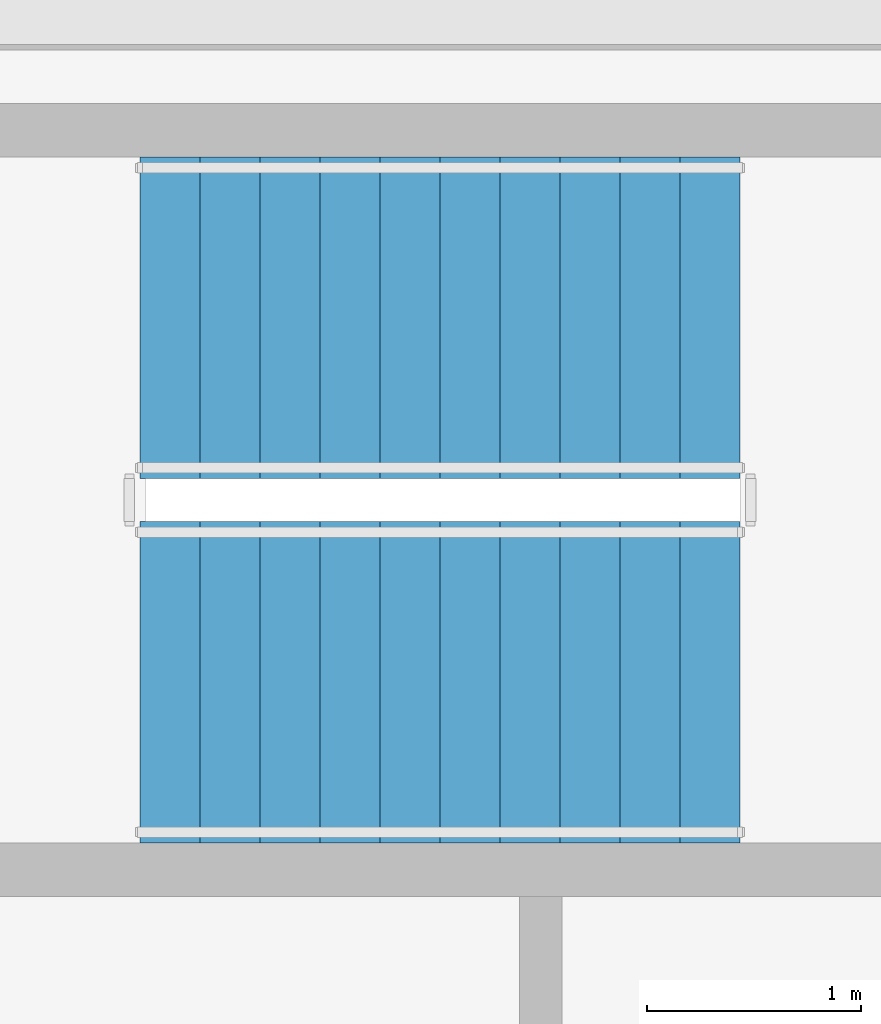
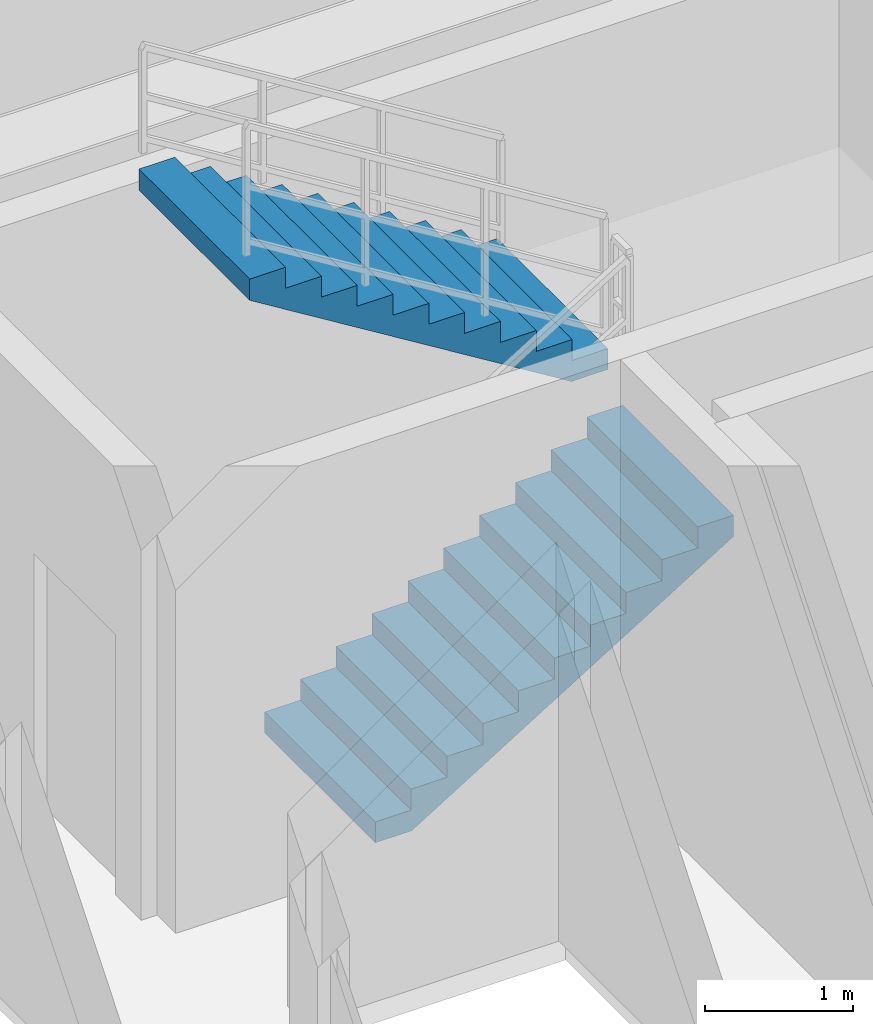
# One storey, part 6 of 9: 2 stair flights, 1 element without a shape of its own.
"""IFC4 building model written with IfcOpenShell, lengths in metres."""

import ifcopenshell
import ifcopenshell.guid

model = None  # the IFC model being written
_history = None  # IfcOwnerHistory: only IFC2X3 demands one
_inside = {}  # id of a spatial element -> (the spatial element, [elements in it])
_under = {}  # id of a project, library or spatial element -> (it, [spatial elements below it])
_declared = {}  # id of a project -> (the project, [libraries it declares])
_typed = {}  # id of a type object -> (the type object, [elements of that type])
_made_of = {}  # id of a material, layer set ... -> (it, [elements and type objects made of it])


def new_model(schema):
    """Start an empty IFC model of exactly this schema.

    Asked for "IFC4X3", IfcOpenShell would pick the latest addendum, in which some entities
    have other attributes; the version numbers below select the first issue.
    IFC2X3 requires an IfcOwnerHistory on every rooted entity: one is made here for all.
    """
    global model, _history
    if schema == "IFC4X3":
        model = ifcopenshell.file(schema_version=(4, 3, 0, 0))
    else:
        model = ifcopenshell.file(schema=schema)
    _inside.clear()
    _under.clear()
    _declared.clear()
    _typed.clear()
    _made_of.clear()
    _history = None
    if model.schema == "IFC2X3":
        org = make("IfcOrganization", Name="unknown")
        user = make(
            "IfcPersonAndOrganization",
            ThePerson=make("IfcPerson", FamilyName="unknown"),
            TheOrganization=org,
        )
        app = make(
            "IfcApplication",
            ApplicationDeveloper=org,
            Version="unknown",
            ApplicationFullName="unknown",
            ApplicationIdentifier="unknown",
        )
        _history = make(
            "IfcOwnerHistory",
            OwningUser=user,
            OwningApplication=app,
            ChangeAction="ADDED",
            CreationDate=0,
        )
    return model


def make(cls, **values):
    """One entity of the class cls with the attributes given. An attribute that is None is left unset."""
    return model.create_entity(
        cls, **{name: value for name, value in values.items() if value is not None}
    )


def rooted(cls, **values):
    """An entity with a GlobalId (a new one), such as an element, a storey or a relation."""
    return make(cls, GlobalId=ifcopenshell.guid.new(), OwnerHistory=_history, **values)


def si_unit(unit_type, name, prefix=None):
    """IfcSIUnit, for example si_unit("LENGTHUNIT", "METRE", prefix="MILLI")."""
    return make("IfcSIUnit", UnitType=unit_type, Prefix=prefix, Name=name)


def assignment(units):
    """IfcUnitAssignment: the units of a project."""
    return None if units is None else make("IfcUnitAssignment", Units=units)


def point(xyz):
    """IfcCartesianPoint."""
    return None if xyz is None else make("IfcCartesianPoint", Coordinates=xyz)


def direction(xyz):
    """IfcDirection."""
    return None if xyz is None else make("IfcDirection", DirectionRatios=xyz)


def frame(location, z_axis=None, x_axis=None):
    """IfcAxis2Placement3D, a coordinate frame: its origin and axes. An axis left out is left unset."""
    return make(
        "IfcAxis2Placement3D",
        Location=point(location),
        Axis=direction(z_axis),
        RefDirection=direction(x_axis),
    )


def origin():
    """The frame at (0, 0, 0) with its axes left unset."""
    return frame((0.0, 0.0, 0.0))


def place(relative_to, where):
    """IfcLocalPlacement: puts the frame where relative to a parent placement (None: the world)."""
    return make(
        "IfcLocalPlacement", PlacementRelTo=relative_to, RelativePlacement=where
    )


def context(
    kind, dimensions, precision=None, world=None, true_north=None, identifier=None
):
    """IfcGeometricRepresentationContext, for example the 3D "Model" context."""
    return make(
        "IfcGeometricRepresentationContext",
        ContextIdentifier=identifier,
        ContextType=kind,
        CoordinateSpaceDimension=dimensions,
        Precision=precision,
        WorldCoordinateSystem=world,
        TrueNorth=true_north,
    )


def subcontext(parent, identifier, kind, view, scale=None):
    """IfcGeometricRepresentationSubContext, for example "Body" below "Model"."""
    return make(
        "IfcGeometricRepresentationSubContext",
        ContextIdentifier=identifier,
        ContextType=kind,
        ParentContext=parent,
        TargetScale=scale,
        TargetView=view,
    )


def project(units=None, contexts=None):
    """IfcProject with its units and contexts."""
    return rooted(
        "IfcProject",
        Name="project",
        RepresentationContexts=contexts,
        UnitsInContext=assignment(units),
    )


def spatial(cls, under=None, at=None, **own):
    """A site, building, storey or space (cls), placed at a placement, below another one or the project."""
    s = rooted(cls, ObjectPlacement=at, **own)
    if under is not None:
        _under.setdefault(under.id(), (under, []))[1].append(s)
    return s


def polyline(points):
    """IfcPolyline through the points."""
    return make("IfcPolyline", Points=[point(p) for p in points])


def outline(outer, holes=None, kind="AREA"):
    """IfcArbitraryClosedProfileDef: a profile drawn as a closed curve; with holes, ...WithVoids."""
    if holes is None:
        return make("IfcArbitraryClosedProfileDef", ProfileType=kind, OuterCurve=outer)
    return make(
        "IfcArbitraryProfileDefWithVoids",
        ProfileType=kind,
        OuterCurve=outer,
        InnerCurves=holes,
    )


def extrude(swept, where, along, depth):
    """IfcExtrudedAreaSolid: the profile swept, set in the frame where, extruded along a direction by depth."""
    return make(
        "IfcExtrudedAreaSolid",
        SweptArea=swept,
        Position=where,
        ExtrudedDirection=direction(along),
        Depth=depth,
    )


def shape(context_of_items, identifier, shape_type, items):
    """IfcShapeRepresentation: the items that make up one representation, for example the "Body"."""
    return make(
        "IfcShapeRepresentation",
        ContextOfItems=context_of_items,
        RepresentationIdentifier=identifier,
        RepresentationType=shape_type,
        Items=items,
    )


def material(Name=None, Category=None):
    """IfcMaterial."""
    return make("IfcMaterial", Name=Name, Category=Category)


def made_of(thing, what):
    """Note that an element or type object is made of a material, layer set ...; save() writes the relation."""
    if what is not None:
        _made_of.setdefault(what.id(), (what, []))[1].append(thing)
    return thing


def type_object(cls, material=None, **own):
    """A type object (cls), such as IfcWallType, which elements share."""
    return made_of(rooted(cls, **own), material)


def element(
    cls,
    number,
    at=None,
    inside=None,
    cuts=None,
    type_object=None,
    material=None,
    context=None,
    identifier="Body",
    shape_type=None,
    held_by="IfcProductDefinitionShape",
    body=None,
    shapes=None,
    **own,
):
    """One element of the class cls, such as IfcWall. Its Tag is "e" and its number.

    at: its placement. inside: the storey or other place that contains it. cuts: it is an
    opening in that element (IfcRelVoidsElement). A single representation is given by context,
    identifier, shape_type and body (its items); several are given by shapes. held_by: the class
    of the entity that holds the representations. save() writes the other relations.
    """
    e = rooted(cls, Tag="e%d" % number, ObjectPlacement=at, **own)
    if body is not None:
        shapes = [shape(context, identifier, shape_type, body)]
    if shapes is not None:
        e.Representation = make(held_by, Representations=shapes)
    if inside is not None:
        _inside.setdefault(inside.id(), (inside, []))[1].append(e)
    if cuts is not None:
        rooted(
            "IfcRelVoidsElement", RelatingBuildingElement=cuts, RelatedOpeningElement=e
        )
    if type_object is not None:
        _typed.setdefault(type_object.id(), (type_object, []))[1].append(e)
    return made_of(e, material)


def aggregate(whole, parts):
    """IfcRelAggregates: a whole, such as a stair, and the parts it consists of."""
    return rooted("IfcRelAggregates", RelatingObject=whole, RelatedObjects=parts)


def save(model, path):
    """Write the relations noted so far, then the file.

    IfcRelAggregates (storeys below a building ...), IfcRelContainedInSpatialStructure (elements
    in a storey), IfcRelDefinesByType, IfcRelAssociatesMaterial and IfcRelDeclares: one each for
    every whole, place, type object, material and project.
    """
    for whole, parts in _under.values():
        aggregate(whole, parts)
    for where, things in _inside.values():
        rooted(
            "IfcRelContainedInSpatialStructure",
            RelatedElements=things,
            RelatingStructure=where,
        )
    for kind, things in _typed.values():
        rooted("IfcRelDefinesByType", RelatedObjects=things, RelatingType=kind)
    for what, things in _made_of.values():
        rooted("IfcRelAssociatesMaterial", RelatedObjects=things, RelatingMaterial=what)
    for by, libraries in _declared.values():
        rooted("IfcRelDeclares", RelatingContext=by, RelatedDefinitions=libraries)
    model.write(path)


model = new_model("IFC4")

# Units and contexts
model_context = context("Model", 3, precision=1e-05, world=origin(), true_north=direction((0.0, 1.0)))
body_context = subcontext(model_context, "Body", "Model", "MODEL_VIEW")
ifc_project = project(units=[si_unit("LENGTHUNIT", "METRE"), si_unit("AREAUNIT", "SQUARE_METRE"), si_unit("VOLUMEUNIT", "CUBIC_METRE"), si_unit("PLANEANGLEUNIT", "RADIAN"), si_unit("MASSUNIT", "GRAM", prefix="KILO")], contexts=[model_context])

# Site, building, storey
site_placement = place(None, origin())
site = spatial("IfcSite", under=ifc_project, at=site_placement, CompositionType="ELEMENT")
building_placement = place(site_placement, origin())
building = spatial("IfcBuilding", under=site, at=building_placement, Name="Zulverin Broadcast Headquarters", CompositionType="ELEMENT")
storey_placement = place(building_placement, frame((0.0, 0.0, 112.39990234375)))
storey = spatial("IfcBuildingStorey", under=building, at=storey_placement, Name="L28", CompositionType="ELEMENT", Elevation=112.39990234375)

# Stair, stair flights
ifc_material = material(Name="Concrete C40/50", Category="concrete")
stair_type = type_object("IfcStairType", Name="ST-CORE-1500", PredefinedType="HALF_TURN_STAIR", material=ifc_material)
stair_placement = place(storey_placement, origin())
stair = element("IfcStair", 1, at=stair_placement, inside=storey, type_object=stair_type, Name="L28 Core Exit Stair ST-1", PredefinedType="HALF_TURN_STAIR")
stair_flight_type = type_object("IfcStairFlightType", Name="SF-CORE-1500", PredefinedType="STRAIGHT", material=ifc_material)
stair_flight_1_placement = place(storey_placement, frame((40.1298828125, 29.800048828125, 0.0), z_axis=(0.0, 0.0, 1.0), x_axis=(1.0, 0.0, 0.0)))
stair_flight_1 = element("IfcStairFlight", 2, at=stair_flight_1_placement, type_object=stair_flight_type, Name="ST-1 flight 1", NumberOfRisers=11, NumberOfTreads=10, PredefinedType="STRAIGHT", RiserHeight=0.172727273, TreadLength=0.28, context=body_context, shape_type="SweptSolid", body=[
    extrude(outline(polyline([(0.0, 0.0), (0.0, 0.172607421875), (0.280029296875, 0.172607421875), (0.280029296875, 0.345458984375), (0.56005859375, 0.345458984375), (0.56005859375, 0.51806640625), (0.840087890625, 0.51806640625), (0.840087890625, 0.69091796875), (1.1201171875, 0.69091796875), (1.1201171875, 0.863525390625), (1.39990234375, 0.863525390625), (1.39990234375, 1.036376953125), (1.679931640625, 1.036376953125), (1.679931640625, 1.208984375), (1.9599609375, 1.208984375), (1.9599609375, 1.3818359375), (2.239990234375, 1.3818359375), (2.239990234375, 1.554443359375), (2.52001953125, 1.554443359375), (2.52001953125, 1.727294921875), (2.800048828125, 1.727294921875), (2.800048828125, 1.89990234375), (2.800048828125, 1.551025390625), (0.285400390625, 0.0), (0.0, 0.0)])), frame((0.0, 0.75, 0.0), z_axis=(0.0, -1.0, 0.0), x_axis=(1.0, 0.0, 0.0)), (0.0, 0.0, 1.0), 1.5),
])
stair_flight_2_placement = place(storey_placement, frame((42.929931640625, 31.5, 1.900146484375), z_axis=(0.0, 0.0, 1.0), x_axis=(-1.0, 0.0, 0.0)))
stair_flight_2 = element("IfcStairFlight", 3, at=stair_flight_2_placement, type_object=stair_flight_type, Name="ST-1 flight 2", NumberOfRisers=11, NumberOfTreads=10, PredefinedType="STRAIGHT", RiserHeight=0.172727273, TreadLength=0.28, context=body_context, shape_type="SweptSolid", body=[
    extrude(outline(polyline([(0.0, 0.0), (0.0, 0.172607421875), (0.280029296875, 0.172607421875), (0.280029296875, 0.345458984375), (0.56005859375, 0.345458984375), (0.56005859375, 0.51806640625), (0.840087890625, 0.51806640625), (0.840087890625, 0.69091796875), (1.1201171875, 0.69091796875), (1.1201171875, 0.863525390625), (1.39990234375, 0.863525390625), (1.39990234375, 1.036376953125), (1.679931640625, 1.036376953125), (1.679931640625, 1.208984375), (1.9599609375, 1.208984375), (1.9599609375, 1.3818359375), (2.239990234375, 1.3818359375), (2.239990234375, 1.554443359375), (2.52001953125, 1.554443359375), (2.52001953125, 1.727294921875), (2.800048828125, 1.727294921875), (2.800048828125, 1.89990234375), (2.800048828125, 1.551025390625), (0.285400390625, 0.0), (0.0, 0.0)])), frame((0.0, 0.75, 0.0), z_axis=(0.0, -1.0, 0.0), x_axis=(1.0, 0.0, 0.0)), (0.0, 0.0, 1.0), 1.5),
])
aggregate(stair, [stair_flight_1, stair_flight_2])

save(model, "model.ifc")
